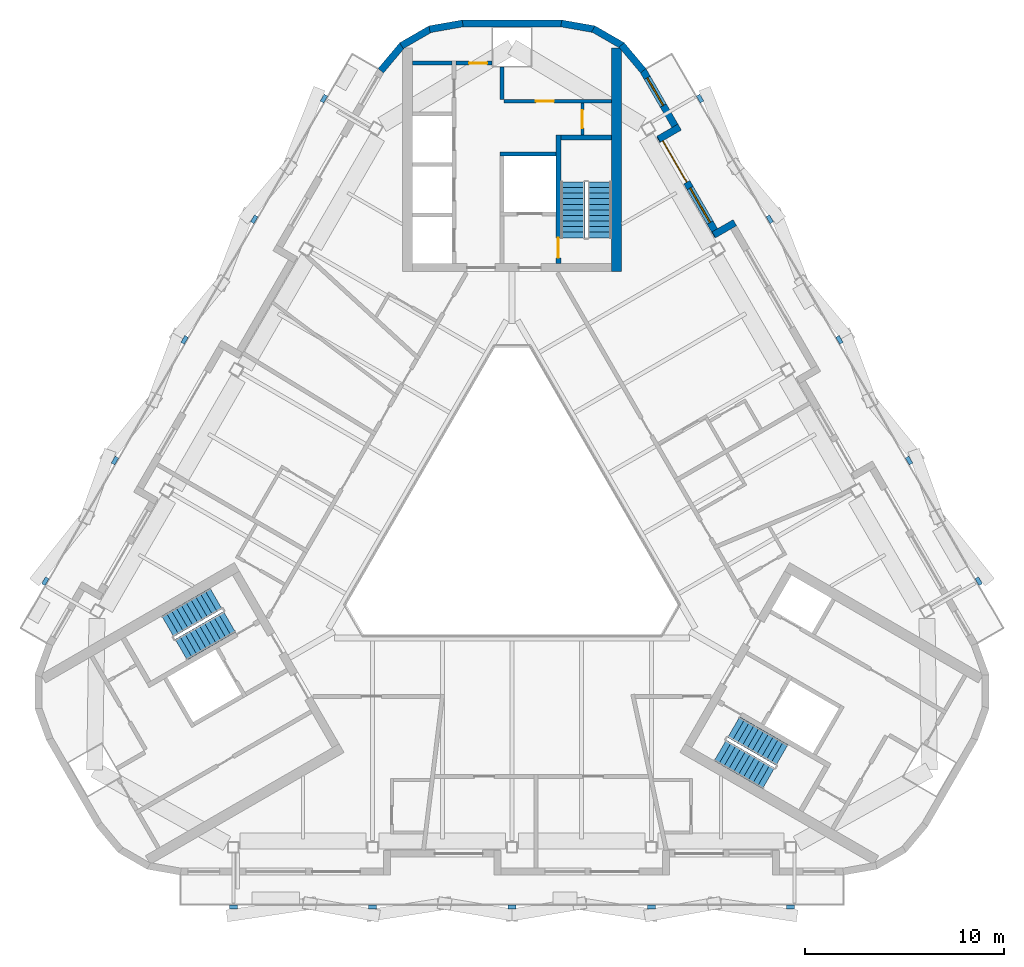
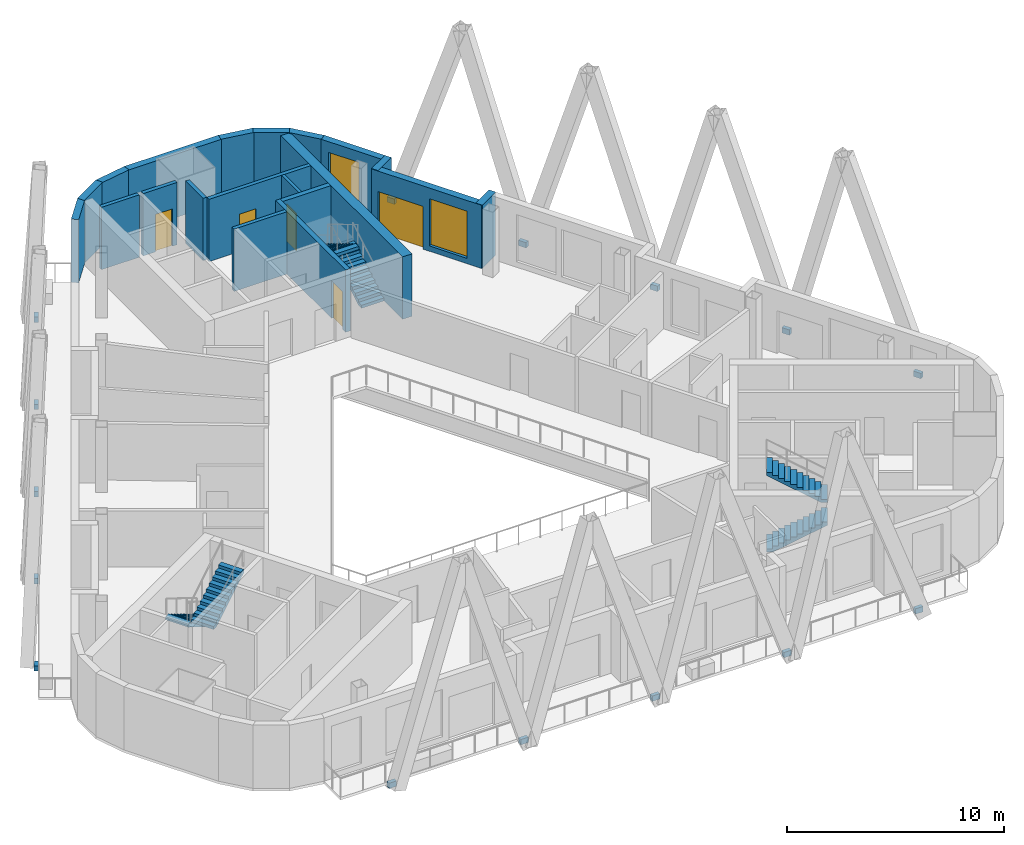
# One storey, part 7 of 12: 20 walls, 15 discrete accessories, 6 stair flights, 5 doors, 2 windows, 7 openings, 3 elements without a shape of their own.
"""IFC4 building model written with IfcOpenShell, lengths in metres."""

from ifc_helpers import new_model, si_unit, direction, frame, frame_2d, origin, origin_2d, place, context, subcontext, project, spatial, polyline, rectangle, outline, extrude, material, layer, layer_set, type_object, element, fill, aggregate, save


model = new_model("IFC4")

# Units and contexts
model_context = context("Model", 3, precision=1e-05, world=origin(), true_north=direction((0.0, 1.0)))
body_context = subcontext(model_context, "Body", "Model", "MODEL_VIEW")
ifc_project = project(units=[si_unit("LENGTHUNIT", "METRE"), si_unit("AREAUNIT", "SQUARE_METRE"), si_unit("VOLUMEUNIT", "CUBIC_METRE"), si_unit("PLANEANGLEUNIT", "RADIAN"), si_unit("MASSUNIT", "GRAM", prefix="KILO")], contexts=[model_context])

# Site, building, storey
site_placement = place(None, origin())
site = spatial("IfcSite", under=ifc_project, at=site_placement, CompositionType="ELEMENT")
building_placement = place(site_placement, origin())
building = spatial("IfcBuilding", under=site, at=building_placement, Name="Apuvela Tower Hotel", CompositionType="ELEMENT")
storey_placement = place(building_placement, frame((0.0, 0.0, 291.10009765625)))
storey = spatial("IfcBuildingStorey", under=building, at=storey_placement, Name="L72", CompositionType="ELEMENT", Elevation=291.10009765625)

# Wall
ifc_material_1 = material(Name="Concrete C50/60", Category="concrete")
ifc_layer_1 = layer(ifc_material_1, 0.5)
ifc_layer_set_1 = layer_set([ifc_layer_1], Name="COR-WALL-CORE-500")
wall_type_1 = type_object("IfcWallType", Name="COR-WALL-CORE-500", PredefinedType="SHEAR", material=ifc_layer_set_1)
wall_1_placement = place(storey_placement, frame((5.25, 12.89990234375, 0.0), z_axis=(0.0, 0.0, 1.0), x_axis=(0.0, 1.0, 0.0)))
element("IfcWall", 1, at=wall_1_placement, inside=storey, type_object=wall_type_1, Name="Core wall N", PredefinedType="SHEAR", context=body_context, shape_type="SweptSolid", body=[
    extrude(rectangle(XDim=11.2216796875, YDim=0.5, at=frame_2d((5.61083984375, 0.0))), origin(), (0.0, 0.0, 1.0), 3.5),
])

# Wall, opening, door
ifc_material_2 = material(Name="Blockwork 150 mm plastered", Category="masonry")
ifc_layer_2 = layer(ifc_material_2, 0.14990234375)
ifc_layer_set_2 = layer_set([ifc_layer_2], Name="COR-WALL-PART-150")
wall_type_2 = type_object("IfcWallType", Name="COR-WALL-PART-150", PredefinedType="PARTITIONING", material=ifc_layer_set_2)
wall_2_placement = place(storey_placement, frame((3.52490234375, 19.75, 0.0), z_axis=(0.0, 0.0, 1.0), x_axis=(0.0, 1.0, 0.0)))
wall_2 = element("IfcWall", 2, at=wall_2_placement, inside=storey, type_object=wall_type_2, Name="Partition N", PredefinedType="PARTITIONING", context=body_context, shape_type="SweptSolid", body=[
    extrude(rectangle(XDim=1.60009765625, YDim=0.14990234375, at=frame_2d((0.800048828125, 0.0))), origin(), (0.0, 0.0, 1.0), 3.5),
])
opening_1_placement = place(wall_2_placement, frame((0.35009765625, 0.0, 0.0)))
opening_1 = element("IfcOpeningElement", 3, at=opening_1_placement, cuts=wall_2, Name="Opening N-RD", PredefinedType="OPENING", context=body_context, shape_type="SweptSolid", body=[
    extrude(rectangle(XDim=0.89990234375, YDim=2.10009765625, at=frame_2d((0.449951171875, 1.050048828125))), frame((0.0, 0.0849609375, 0.0), z_axis=(0.0, -1.0, 0.0), x_axis=(1.0, 0.0, 0.0)), (0.0, 0.0, 1.0), 0.169921875),
])
ifc_material_3 = material(Name="Steel access door, powder coated", Category="steel")
door_type_1 = type_object("IfcDoorType", Name="COR-RD-900", OperationType="NOTDEFINED", PredefinedType="DOOR", material=ifc_material_3)
door_1_placement = place(opening_1_placement, frame((0.89990234375, 0.0, 0.0), z_axis=(0.0, 0.0, 1.0), x_axis=(-1.0, 0.0, 0.0)))
door_1 = element("IfcDoor", 4, at=door_1_placement, inside=storey, type_object=door_type_1, Name="Riser door N-RD", OperationType="SINGLE_SWING_RIGHT", OverallHeight=2.10009765625, OverallWidth=0.89990234375, PredefinedType="DOOR", context=body_context, shape_type="SweptSolid", body=[
    extrude(rectangle(XDim=0.89990234375, YDim=2.10009765625, at=frame_2d((0.449951171875, 1.050048828125))), frame((0.0, 0.02490234375, 0.0), z_axis=(0.0, -1.0, 0.0), x_axis=(1.0, 0.0, 0.0)), (0.0, 0.0, 1.0), 0.050048828125),
])
fill(opening_1, door_1)

ifc_material_4 = material(Name="Blockwork 200 mm plastered", Category="masonry")
ifc_layer_3 = layer(ifc_material_4, 0.199951171875)
ifc_layer_set_3 = layer_set([ifc_layer_3], Name="COR-WALL-PART-200")
wall_type_3 = type_object("IfcWallType", Name="COR-WALL-PART-200", PredefinedType="PARTITIONING", material=ifc_layer_set_3)
wall_3_placement = place(storey_placement, frame((5.0, 21.449951171875, 0.0), z_axis=(0.0, 0.0, 1.0), x_axis=(-1.0, 0.0, 0.0)))
wall_3 = element("IfcWall", 5, at=wall_3_placement, inside=storey, type_object=wall_type_3, Name="Partition N", PredefinedType="PARTITIONING", context=body_context, shape_type="SweptSolid", body=[
    extrude(rectangle(XDim=5.39990234375, YDim=0.199951171875, at=frame_2d((2.699951171875, 0.0))), origin(), (0.0, 0.0, 1.0), 3.5),
])
opening_2_placement = place(wall_3_placement, frame((2.89990234375, 0.0, 0.0)))
opening_2 = element("IfcOpeningElement", 6, at=opening_2_placement, cuts=wall_3, Name="Opening N-RS1", PredefinedType="OPENING", context=body_context, shape_type="SweptSolid", body=[
    extrude(rectangle(XDim=0.89990234375, YDim=2.10009765625, at=frame_2d((0.449951171875, 1.050048828125))), frame((0.0, 0.10986328125, 0.0), z_axis=(0.0, -1.0, 0.0), x_axis=(1.0, 0.0, 0.0)), (0.0, 0.0, 1.0), 0.219970703125),
])
ifc_material_5 = material(Name="Steel fire door, powder coated", Category="steel")
door_type_2 = type_object("IfcDoorType", Name="COR-DR-900", OperationType="NOTDEFINED", PredefinedType="DOOR", material=ifc_material_5)
door_2_placement = place(opening_2_placement, frame((0.89990234375, 0.0, 0.0), z_axis=(0.0, 0.0, 1.0), x_axis=(-1.0, 0.0, 0.0)))
door_2 = element("IfcDoor", 7, at=door_2_placement, inside=storey, type_object=door_type_2, Name="Store door N-RS1", OperationType="SINGLE_SWING_LEFT", OverallHeight=2.10009765625, OverallWidth=0.89990234375, PredefinedType="DOOR", context=body_context, shape_type="SweptSolid", body=[
    extrude(rectangle(XDim=0.89990234375, YDim=2.10009765625, at=frame_2d((0.449951171875, 1.050048828125))), frame((0.0, 0.02490234375, 0.0), z_axis=(0.0, -1.0, 0.0), x_axis=(1.0, 0.0, 0.0)), (0.0, 0.0, 1.0), 0.050048828125),
])
fill(opening_2, door_2)

# Wall
ifc_layer_4 = layer(ifc_material_1, 0.199951171875)
ifc_layer_set_4 = layer_set([ifc_layer_4], Name="COR-WALL-SHAFT-200")
wall_type_4 = type_object("IfcWallType", Name="COR-WALL-SHAFT-200", PredefinedType="SHEAR", material=ifc_layer_set_4)
wall_4_placement = place(storey_placement, frame((2.199951171875, 18.800048828125, 0.0), z_axis=(0.0, 0.0, 1.0), x_axis=(-1.0, 0.0, 0.0)))
element("IfcWall", 8, at=wall_4_placement, inside=storey, type_object=wall_type_4, Name="Shaft wall N", PredefinedType="SHEAR", context=body_context, shape_type="SweptSolid", body=[
    extrude(rectangle(XDim=2.800048828125, YDim=0.199951171875, at=frame_2d((1.39990234375, 0.0))), origin(), (0.0, 0.0, 1.0), 3.5),
])

# Wall, opening, door
wall_5_placement = place(storey_placement, frame((-1.0, 23.360107421875, 0.0), z_axis=(0.0, 0.0, 1.0), x_axis=(-1.0, 0.0, 0.0)))
wall_5 = element("IfcWall", 9, at=wall_5_placement, inside=storey, type_object=wall_type_4, Name="Shaft wall N", PredefinedType="SHEAR", context=body_context, shape_type="SweptSolid", body=[
    extrude(rectangle(XDim=1.800048828125, YDim=0.199951171875, at=frame_2d((0.89990234375, 0.0))), origin(), (0.0, 0.0, 1.0), 3.5),
])
opening_3_placement = place(wall_5_placement, frame((0.25, 0.0, 0.0)))
opening_3 = element("IfcOpeningElement", 10, at=opening_3_placement, cuts=wall_5, Name="Opening N-REP", PredefinedType="OPENING", context=body_context, shape_type="SweptSolid", body=[
    extrude(rectangle(XDim=0.89990234375, YDim=2.10009765625, at=frame_2d((0.449951171875, 1.050048828125))), frame((0.0, 0.10986328125, 0.0), z_axis=(0.0, -1.0, 0.0), x_axis=(1.0, 0.0, 0.0)), (0.0, 0.0, 1.0), 0.219970703125),
])
door_3_placement = place(opening_3_placement, frame((0.89990234375, 0.0, 0.0), z_axis=(0.0, 0.0, 1.0), x_axis=(-1.0, 0.0, 0.0)))
door_3 = element("IfcDoor", 11, at=door_3_placement, inside=storey, type_object=door_type_2, Name="Store door N-REP", OperationType="SINGLE_SWING_LEFT", OverallHeight=2.10009765625, OverallWidth=0.89990234375, PredefinedType="DOOR", context=body_context, shape_type="SweptSolid", body=[
    extrude(rectangle(XDim=0.89990234375, YDim=2.10009765625, at=frame_2d((0.449951171875, 1.050048828125))), frame((0.0, 0.02490234375, 0.0), z_axis=(0.0, -1.0, 0.0), x_axis=(1.0, 0.0, 0.0)), (0.0, 0.0, 1.0), 0.050048828125),
])
fill(opening_3, door_3)

# Walls
wall_6_placement = place(storey_placement, frame((-0.5, 21.550048828125, 0.0), z_axis=(0.0, 0.0, 1.0), x_axis=(0.0, 1.0, 0.0)))
element("IfcWall", 12, at=wall_6_placement, inside=storey, type_object=wall_type_4, Name="Shaft wall N", PredefinedType="SHEAR", context=body_context, shape_type="SweptSolid", body=[
    extrude(rectangle(XDim=1.625, YDim=0.199951171875, at=frame_2d((0.8125, 0.0))), origin(), (0.0, 0.0, 1.0), 3.5),
])
wall_7_placement = place(storey_placement, frame((-3.0, 23.360107421875, 0.0), z_axis=(0.0, 0.0, 1.0), x_axis=(-1.0, 0.0, 0.0)))
element("IfcWall", 13, at=wall_7_placement, inside=storey, type_object=wall_type_4, Name="Shaft wall N", PredefinedType="SHEAR", context=body_context, shape_type="SweptSolid", body=[
    extrude(rectangle(XDim=2.0, YDim=0.199951171875, at=frame_2d((1.0, 0.0))), origin(), (0.0, 0.0, 1.0), 3.5),
])

# Wall, opening, door
ifc_layer_5 = layer(ifc_material_1, 0.25)
ifc_layer_set_5 = layer_set([ifc_layer_5], Name="COR-WALL-STAIR-250")
wall_type_5 = type_object("IfcWallType", Name="COR-WALL-STAIR-250", PredefinedType="SHEAR", material=ifc_layer_set_5)
wall_8_placement = place(storey_placement, frame((2.324951171875, 13.300048828125, 0.0), z_axis=(0.0, 0.0, 1.0), x_axis=(0.0, 1.0, 0.0)))
wall_8 = element("IfcWall", 14, at=wall_8_placement, inside=storey, type_object=wall_type_5, Name="Stair wall N", PredefinedType="SHEAR", context=body_context, shape_type="SweptSolid", body=[
    extrude(rectangle(XDim=6.449951171875, YDim=0.25, at=frame_2d((3.22509765625, 0.0))), origin(), (0.0, 0.0, 1.0), 3.5),
])
opening_4_placement = place(wall_8_placement, frame((0.300048828125, 0.0, 0.0)))
opening_4 = element("IfcOpeningElement", 15, at=opening_4_placement, cuts=wall_8, Name="Opening N-SD", PredefinedType="OPENING", context=body_context, shape_type="SweptSolid", body=[
    extrude(rectangle(XDim=1.0, YDim=2.10009765625, at=frame_2d((0.5, 1.050048828125))), frame((0.0, 0.135009765625, 0.0), z_axis=(0.0, -1.0, 0.0), x_axis=(1.0, 0.0, 0.0)), (0.0, 0.0, 1.0), 0.27001953125),
])
door_type_3 = type_object("IfcDoorType", Name="COR-SD-1000", OperationType="NOTDEFINED", PredefinedType="DOOR", material=ifc_material_5)
door_4_placement = place(opening_4_placement, frame((1.0, 0.0, 0.0), z_axis=(0.0, 0.0, 1.0), x_axis=(-1.0, 0.0, 0.0)))
door_4 = element("IfcDoor", 16, at=door_4_placement, inside=storey, type_object=door_type_3, Name="Stair door N-SD", OperationType="SINGLE_SWING_LEFT", OverallHeight=2.10009765625, OverallWidth=1.0, PredefinedType="DOOR", context=body_context, shape_type="SweptSolid", body=[
    extrude(rectangle(XDim=1.0, YDim=2.10009765625, at=frame_2d((0.5, 1.050048828125))), frame((0.0, 0.02490234375, 0.0), z_axis=(0.0, -1.0, 0.0), x_axis=(1.0, 0.0, 0.0)), (0.0, 0.0, 1.0), 0.050048828125),
])
fill(opening_4, door_4)

# Walls
wall_9_placement = place(storey_placement, frame((5.0, 19.625, 0.0), z_axis=(0.0, 0.0, 1.0), x_axis=(-1.0, 0.0, 0.0)))
element("IfcWall", 17, at=wall_9_placement, inside=storey, type_object=wall_type_5, Name="Stair wall N", PredefinedType="SHEAR", context=body_context, shape_type="SweptSolid", body=[
    extrude(rectangle(XDim=2.550048828125, YDim=0.25, at=frame_2d((1.27490234375, 0.0))), origin(), (0.0, 0.0, 1.0), 3.5),
])
ifc_material_6 = material(Name="Concrete C40/50, dark pigmented precast panel", Category="concrete")
ifc_layer_6 = layer(ifc_material_6, 0.35009765625)
ifc_layer_set_6 = layer_set([ifc_layer_6], Name="ENV-WALL-350")
wall_type_6 = type_object("IfcWallType", Name="ENV-WALL-350", PredefinedType="SOLIDWALL", material=ifc_layer_set_6)
wall_10_placement = place(storey_placement, frame((11.1796875, 15.35986328125, 0.0), z_axis=(0.0, 0.0, 1.0), x_axis=(-0.866055662726, -0.499947586314, 0.0)))
element("IfcWall", 18, at=wall_10_placement, inside=storey, type_object=wall_type_6, Name="External wall L72-38", PredefinedType="SOLIDWALL", context=body_context, shape_type="SweptSolid", body=[
    extrude(rectangle(XDim=1.220458984375, YDim=0.35009765625, at=frame_2d((0.6103515625, 0.0))), origin(), (0.0, 0.0, 1.0), 3.5498046875),
])

# Wall, openings, door, window
wall_11_placement = place(storey_placement, frame((10.321044921875, 14.69677734375, 0.0), z_axis=(0.0, 0.0, 1.0), x_axis=(-0.500005339912, 0.866022320763, 0.0)))
wall_11 = element("IfcWall", 19, at=wall_11_placement, inside=storey, type_object=wall_type_6, Name="External wall L72-39", PredefinedType="SOLIDWALL", context=body_context, shape_type="SweptSolid", body=[
    extrude(rectangle(XDim=5.8271484375, YDim=0.35009765625, at=frame_2d((2.91357421875, 0.0))), origin(), (0.0, 0.0, 1.0), 3.5498046875),
])
opening_5_placement = place(wall_11_placement, frame((3.10693359375, 0.0, 0.0)))
opening_5 = element("IfcOpeningElement", 20, at=opening_5_placement, cuts=wall_11, Name="Opening BD24", PredefinedType="OPENING", context=body_context, shape_type="SweptSolid", body=[
    extrude(rectangle(XDim=2.39990234375, YDim=2.39990234375, at=frame_2d((1.199951171875, 1.199951171875))), frame((0.0, 0.18505859375, 0.0), z_axis=(0.0, -1.0, 0.0), x_axis=(1.0, 0.0, 0.0)), (0.0, 0.0, 1.0), 0.3701171875),
])
opening_6_placement = place(wall_11_placement, frame((0.77001953125, 0.0, 0.300048828125)))
opening_6 = element("IfcOpeningElement", 21, at=opening_6_placement, cuts=wall_11, Name="Opening WN20", PredefinedType="OPENING", context=body_context, shape_type="SweptSolid", body=[
    extrude(rectangle(XDim=2.0, YDim=2.64990234375, at=frame_2d((1.0, 1.324951171875))), frame((0.0, 0.18505859375, 0.0), z_axis=(0.0, -1.0, 0.0), x_axis=(1.0, 0.0, 0.0)), (0.0, 0.0, 1.0), 0.3701171875),
])
ifc_material_7 = material(Name="Aluminium 6063-T6, dark bronze anodised frame with dark tinted laminated glass", Category="aluminium")
door_type_4 = type_object("IfcDoorType", Name="ENV-DOOR-BALCONY-2400x2400", OperationType="SLIDING_TO_LEFT", PredefinedType="DOOR", material=ifc_material_7)
door_5_placement = place(opening_5_placement, frame((2.39990234375, 0.0, 0.0), z_axis=(0.0, 0.0, 1.0), x_axis=(-1.0, 0.0, 0.0)))
door_5 = element("IfcDoor", 22, at=door_5_placement, inside=storey, type_object=door_type_4, Name="Balcony door BD24", OperationType="SLIDING_TO_LEFT", OverallHeight=2.39990234375, OverallWidth=2.39990234375, PredefinedType="DOOR", context=body_context, shape_type="SweptSolid", body=[
    extrude(rectangle(XDim=2.39990234375, YDim=2.39990234375, at=frame_2d((1.199951171875, 1.199951171875))), frame((0.0, 0.02490234375, 0.0), z_axis=(0.0, -1.0, 0.0), x_axis=(1.0, 0.0, 0.0)), (0.0, 0.0, 1.0), 0.050048828125),
])
fill(opening_5, door_5)
ifc_material_8 = material(Name="Glass, dark tinted laminated insulated glazing unit", Category="glass")
window_type_1 = type_object("IfcWindowType", Name="ENV-WIN-2000x2650", PartitioningType="SINGLE_PANEL", PredefinedType="WINDOW", material=ifc_material_8)
window_1_placement = place(opening_6_placement, origin())
window_1 = element("IfcWindow", 23, at=window_1_placement, inside=storey, type_object=window_type_1, Name="Window WN20", OverallHeight=2.64990234375, OverallWidth=2.0, PartitioningType="SINGLE_PANEL", PredefinedType="WINDOW", context=body_context, shape_type="SweptSolid", body=[
    extrude(rectangle(XDim=2.0, YDim=2.64990234375, at=frame_2d((1.0, 1.324951171875))), frame((0.0, 0.030029296875, 0.0), z_axis=(0.0, -1.0, 0.0), x_axis=(1.0, 0.0, 0.0)), (0.0, 0.0, 1.0), 0.06005859375),
])
fill(opening_6, window_1)

# Wall
wall_12_placement = place(storey_placement, frame((7.3544921875, 19.544921875, 0.0), z_axis=(0.0, 0.0, 1.0), x_axis=(0.865955602162, 0.500120880472, 0.0)))
element("IfcWall", 24, at=wall_12_placement, inside=storey, type_object=wall_type_6, Name="External wall L72-40", PredefinedType="SOLIDWALL", context=body_context, shape_type="SweptSolid", body=[
    extrude(rectangle(XDim=1.219970703125, YDim=0.35009765625, at=frame_2d((0.60986328125, 0.0))), origin(), (0.0, 0.0, 1.0), 3.5498046875),
])

# Wall, opening, window
wall_13_placement = place(storey_placement, frame((8.346923828125, 19.916015625, 0.0), z_axis=(0.0, 0.0, 1.0), x_axis=(-0.500010763282, 0.866019189511, 0.0)))
wall_13 = element("IfcWall", 25, at=wall_13_placement, inside=storey, type_object=wall_type_6, Name="External wall L72-41", PredefinedType="SOLIDWALL", context=body_context, shape_type="SweptSolid", body=[
    extrude(rectangle(XDim=3.5673828125, YDim=0.35009765625, at=frame_2d((1.78369140625, 0.0))), origin(), (0.0, 0.0, 1.0), 3.5498046875),
])
opening_7_placement = place(wall_13_placement, frame((1.52490234375, 0.0, 0.300048828125)))
opening_7 = element("IfcOpeningElement", 26, at=opening_7_placement, cuts=wall_13, Name="Opening WN16", PredefinedType="OPENING", context=body_context, shape_type="SweptSolid", body=[
    extrude(rectangle(XDim=1.60009765625, YDim=2.64990234375, at=frame_2d((0.800048828125, 1.324951171875))), frame((0.0, 0.18505859375, 0.0), z_axis=(0.0, -1.0, 0.0), x_axis=(1.0, 0.0, 0.0)), (0.0, 0.0, 1.0), 0.3701171875),
])
window_type_2 = type_object("IfcWindowType", Name="ENV-WIN-1600x2650", PartitioningType="SINGLE_PANEL", PredefinedType="WINDOW", material=ifc_material_8)
window_2_placement = place(opening_7_placement, origin())
window_2 = element("IfcWindow", 27, at=window_2_placement, inside=storey, type_object=window_type_2, Name="Window WN16", OverallHeight=2.64990234375, OverallWidth=1.60009765625, PartitioningType="SINGLE_PANEL", PredefinedType="WINDOW", context=body_context, shape_type="SweptSolid", body=[
    extrude(rectangle(XDim=1.60009765625, YDim=2.64990234375, at=frame_2d((0.800048828125, 1.324951171875))), frame((0.0, 0.030029296875, 0.0), z_axis=(0.0, -1.0, 0.0), x_axis=(1.0, 0.0, 0.0)), (0.0, 0.0, 1.0), 0.06005859375),
])
fill(opening_7, window_2)

# Walls
for number, where, z_axis, x_axis, name in (
    (28, (6.580810546875, 22.980224609375, 0.0), (0.0, 0.0, 1.0), (-0.64278191564, 0.766049220955, 0.0), "External wall L72-42"),
    (29, (5.54150390625, 24.235595703125, 0.0), (0.0, 0.0, 1.0), (-0.86609173884, 0.499885086709, 0.0), "External wall L72-43"),
    (30, (4.135498046875, 25.059326171875, 0.0), (0.0, 0.0, 1.0), (-0.984799556842, 0.173694654046, 0.0), "External wall L72-44"),
):
    element("IfcWall", number, at=place(storey_placement, frame(where, z_axis=z_axis, x_axis=x_axis)), inside=storey, type_object=wall_type_6, Name=name, PredefinedType="SOLIDWALL", context=body_context, shape_type="SweptSolid", body=[
        extrude(rectangle(XDim=1.689453125, YDim=0.35009765625, at=frame_2d((0.8447265625, 0.0))), origin(), (0.0, 0.0, 1.0), 3.5498046875),
    ])
wall_14_placement = place(storey_placement, frame((2.502197265625, 25.35009765625, 0.0), z_axis=(0.0, 0.0, 1.0), x_axis=(-1.0, 0.0, 0.0)))
element("IfcWall", 31, at=wall_14_placement, inside=storey, type_object=wall_type_6, Name="External wall L72-45", PredefinedType="SOLIDWALL", context=body_context, shape_type="SweptSolid", body=[
    extrude(rectangle(XDim=5.00439453125, YDim=0.35009765625, at=frame_2d((2.502197265625, 0.0))), origin(), (0.0, 0.0, 1.0), 3.5498046875),
])
for number, where, z_axis, x_axis, name in (
    (32, (-2.4716796875, 25.352783203125, 0.0), (0.0, 0.0, 1.0), (-0.984799556842, -0.173694654046, 0.0), "External wall L72-46"),
    (33, (-4.078369140625, 25.080078125, 0.0), (0.0, 0.0, 1.0), (-0.86609173884, -0.499885086709, 0.0), "External wall L72-47"),
    (34, (-5.494873046875, 24.2744140625, 0.0), (0.0, 0.0, 1.0), (-0.64278191564, -0.766049220955, 0.0), "External wall L72-48"),
):
    element("IfcWall", number, at=place(storey_placement, frame(where, z_axis=z_axis, x_axis=x_axis)), inside=storey, type_object=wall_type_6, Name=name, PredefinedType="SOLIDWALL", context=body_context, shape_type="SweptSolid", body=[
        extrude(rectangle(XDim=1.689453125, YDim=0.35009765625, at=frame_2d((0.8447265625, 0.0))), origin(), (0.0, 0.0, 1.0), 3.5498046875),
    ])

# Stair, stair flights
stair_type = type_object("IfcStairType", Name="COR-STAIR-22R", PredefinedType="HALF_TURN_STAIR", material=ifc_material_1)
stair_1_placement = place(storey_placement, origin())
stair_1 = element("IfcStair", 35, at=stair_1_placement, inside=storey, type_object=stair_type, Name="L72 Exit stair ST1", PredefinedType="HALF_TURN_STAIR")
stair_flight_type = type_object("IfcStairFlightType", Name="COR-FLIGHT-11R", PredefinedType="STRAIGHT", material=ifc_material_1)
stair_flight_1_placement = place(storey_placement, frame((4.39990234375, 14.60009765625, 0.0), z_axis=(0.0, 0.0, 1.0), x_axis=(0.0, 1.0, 0.0)))
stair_flight_1 = element("IfcStairFlight", 36, at=stair_flight_1_placement, type_object=stair_flight_type, Name="ST1 flight 1", NumberOfRisers=11, NumberOfTreads=10, PredefinedType="STRAIGHT", RiserHeight=0.168181818, TreadLength=0.28, context=body_context, shape_type="SweptSolid", body=[
    extrude(outline(polyline([(0.0, 0.0), (0.0, 0.168212890625), (0.280029296875, 0.168212890625), (0.280029296875, 0.33642578125), (0.56005859375, 0.33642578125), (0.56005859375, 0.504638671875), (0.840087890625, 0.504638671875), (0.840087890625, 0.672607421875), (1.1201171875, 0.672607421875), (1.1201171875, 0.8408203125), (1.39990234375, 0.8408203125), (1.39990234375, 1.009033203125), (1.679931640625, 1.009033203125), (1.679931640625, 1.17724609375), (1.9599609375, 1.17724609375), (1.9599609375, 1.345458984375), (2.239990234375, 1.345458984375), (2.239990234375, 1.513671875), (2.52001953125, 1.513671875), (2.52001953125, 1.681884765625), (2.800048828125, 1.681884765625), (2.800048828125, 1.85009765625), (2.800048828125, 1.5068359375), (0.291015625, 0.0), (0.0, 0.0)])), frame((0.0, 0.60009765625, 0.0), z_axis=(0.0, -1.0, 0.0), x_axis=(1.0, 0.0, 0.0)), (0.0, 0.0, 1.0), 1.199951171875),
])
stair_flight_2_placement = place(storey_placement, frame((3.050048828125, 17.39990234375, 1.849853515625), z_axis=(0.0, 0.0, 1.0), x_axis=(0.0, -1.0, 0.0)))
stair_flight_2 = element("IfcStairFlight", 37, at=stair_flight_2_placement, type_object=stair_flight_type, Name="ST1 flight 2", NumberOfRisers=11, NumberOfTreads=10, PredefinedType="STRAIGHT", RiserHeight=0.168181818, TreadLength=0.28, context=body_context, shape_type="SweptSolid", body=[
    extrude(outline(polyline([(0.0, 0.0), (0.0, 0.168212890625), (0.280029296875, 0.168212890625), (0.280029296875, 0.33642578125), (0.56005859375, 0.33642578125), (0.56005859375, 0.504638671875), (0.840087890625, 0.504638671875), (0.840087890625, 0.672607421875), (1.1201171875, 0.672607421875), (1.1201171875, 0.8408203125), (1.39990234375, 0.8408203125), (1.39990234375, 1.009033203125), (1.679931640625, 1.009033203125), (1.679931640625, 1.17724609375), (1.9599609375, 1.17724609375), (1.9599609375, 1.345458984375), (2.239990234375, 1.345458984375), (2.239990234375, 1.513671875), (2.52001953125, 1.513671875), (2.52001953125, 1.681884765625), (2.800048828125, 1.681884765625), (2.800048828125, 1.85009765625), (2.800048828125, 1.5068359375), (0.291015625, 0.0), (0.0, 0.0)])), frame((0.0, 0.60009765625, 0.0), z_axis=(0.0, -1.0, 0.0), x_axis=(1.0, 0.0, 0.0)), (0.0, 0.0, 1.0), 1.199951171875),
])
aggregate(stair_1, [stair_flight_1, stair_flight_2])

stair_2_placement = place(storey_placement, origin())
stair_2 = element("IfcStair", 38, at=stair_2_placement, inside=storey, type_object=stair_type, Name="L72 Exit stair ST2", PredefinedType="HALF_TURN_STAIR")
stair_flight_3_placement = place(storey_placement, frame((-14.843994140625, -3.489501953125, 0.0), z_axis=(0.0, 0.0, 1.0), x_axis=(-0.866025403784, -0.5, 0.0)))
stair_flight_3 = element("IfcStairFlight", 39, at=stair_flight_3_placement, type_object=stair_flight_type, Name="ST2 flight 1", NumberOfRisers=11, NumberOfTreads=10, PredefinedType="STRAIGHT", RiserHeight=0.168181818, TreadLength=0.28, context=body_context, shape_type="SweptSolid", body=[
    extrude(outline(polyline([(0.0, 0.0), (0.0, 0.168212890625), (0.280029296875, 0.168212890625), (0.280029296875, 0.33642578125), (0.56005859375, 0.33642578125), (0.56005859375, 0.504638671875), (0.840087890625, 0.504638671875), (0.840087890625, 0.672607421875), (1.1201171875, 0.672607421875), (1.1201171875, 0.8408203125), (1.39990234375, 0.8408203125), (1.39990234375, 1.009033203125), (1.679931640625, 1.009033203125), (1.679931640625, 1.17724609375), (1.9599609375, 1.17724609375), (1.9599609375, 1.345458984375), (2.239990234375, 1.345458984375), (2.239990234375, 1.513671875), (2.52001953125, 1.513671875), (2.52001953125, 1.681884765625), (2.800048828125, 1.681884765625), (2.800048828125, 1.85009765625), (2.800048828125, 1.5068359375), (0.291015625, 0.0), (0.0, 0.0)])), frame((0.0, 0.60009765625, 0.0), z_axis=(0.0, -1.0, 0.0), x_axis=(1.0, 0.0, 0.0)), (0.0, 0.0, 1.0), 1.199951171875),
])
stair_flight_4_placement = place(storey_placement, frame((-16.59375, -6.05859375, 1.849853515625), z_axis=(0.0, 0.0, 1.0), x_axis=(0.866025403784, 0.5, 0.0)))
stair_flight_4 = element("IfcStairFlight", 40, at=stair_flight_4_placement, type_object=stair_flight_type, Name="ST2 flight 2", NumberOfRisers=11, NumberOfTreads=10, PredefinedType="STRAIGHT", RiserHeight=0.168181818, TreadLength=0.28, context=body_context, shape_type="SweptSolid", body=[
    extrude(outline(polyline([(0.0, 0.0), (0.0, 0.168212890625), (0.280029296875, 0.168212890625), (0.280029296875, 0.33642578125), (0.56005859375, 0.33642578125), (0.56005859375, 0.504638671875), (0.840087890625, 0.504638671875), (0.840087890625, 0.672607421875), (1.1201171875, 0.672607421875), (1.1201171875, 0.8408203125), (1.39990234375, 0.8408203125), (1.39990234375, 1.009033203125), (1.679931640625, 1.009033203125), (1.679931640625, 1.17724609375), (1.9599609375, 1.17724609375), (1.9599609375, 1.345458984375), (2.239990234375, 1.345458984375), (2.239990234375, 1.513671875), (2.52001953125, 1.513671875), (2.52001953125, 1.681884765625), (2.800048828125, 1.681884765625), (2.800048828125, 1.85009765625), (2.800048828125, 1.5068359375), (0.291015625, 0.0), (0.0, 0.0)])), frame((0.0, 0.60009765625, 0.0), z_axis=(0.0, -1.0, 0.0), x_axis=(1.0, 0.0, 0.0)), (0.0, 0.0, 1.0), 1.199951171875),
])
aggregate(stair_2, [stair_flight_3, stair_flight_4])

stair_3_placement = place(storey_placement, origin())
stair_3 = element("IfcStair", 41, at=stair_3_placement, inside=storey, type_object=stair_type, Name="L72 Exit stair ST3", PredefinedType="HALF_TURN_STAIR")
stair_flight_5_placement = place(storey_placement, frame((10.444091796875, -11.110595703125, 0.0), z_axis=(0.0, 0.0, 1.0), x_axis=(0.866025403784, -0.5, 0.0)))
stair_flight_5 = element("IfcStairFlight", 42, at=stair_flight_5_placement, type_object=stair_flight_type, Name="ST3 flight 1", NumberOfRisers=11, NumberOfTreads=10, PredefinedType="STRAIGHT", RiserHeight=0.168181818, TreadLength=0.28, context=body_context, shape_type="SweptSolid", body=[
    extrude(outline(polyline([(0.0, 0.0), (0.0, 0.168212890625), (0.280029296875, 0.168212890625), (0.280029296875, 0.33642578125), (0.56005859375, 0.33642578125), (0.56005859375, 0.504638671875), (0.840087890625, 0.504638671875), (0.840087890625, 0.672607421875), (1.1201171875, 0.672607421875), (1.1201171875, 0.8408203125), (1.39990234375, 0.8408203125), (1.39990234375, 1.009033203125), (1.679931640625, 1.009033203125), (1.679931640625, 1.17724609375), (1.9599609375, 1.17724609375), (1.9599609375, 1.345458984375), (2.239990234375, 1.345458984375), (2.239990234375, 1.513671875), (2.52001953125, 1.513671875), (2.52001953125, 1.681884765625), (2.800048828125, 1.681884765625), (2.800048828125, 1.85009765625), (2.800048828125, 1.5068359375), (0.291015625, 0.0), (0.0, 0.0)])), frame((0.0, 0.60009765625, 0.0), z_axis=(0.0, -1.0, 0.0), x_axis=(1.0, 0.0, 0.0)), (0.0, 0.0, 1.0), 1.199951171875),
])
stair_flight_6_placement = place(storey_placement, frame((13.5439453125, -11.34130859375, 1.849853515625), z_axis=(0.0, 0.0, 1.0), x_axis=(-0.866025403784, 0.5, 0.0)))
stair_flight_6 = element("IfcStairFlight", 43, at=stair_flight_6_placement, type_object=stair_flight_type, Name="ST3 flight 2", NumberOfRisers=11, NumberOfTreads=10, PredefinedType="STRAIGHT", RiserHeight=0.168181818, TreadLength=0.28, context=body_context, shape_type="SweptSolid", body=[
    extrude(outline(polyline([(0.0, 0.0), (0.0, 0.168212890625), (0.280029296875, 0.168212890625), (0.280029296875, 0.33642578125), (0.56005859375, 0.33642578125), (0.56005859375, 0.504638671875), (0.840087890625, 0.504638671875), (0.840087890625, 0.672607421875), (1.1201171875, 0.672607421875), (1.1201171875, 0.8408203125), (1.39990234375, 0.8408203125), (1.39990234375, 1.009033203125), (1.679931640625, 1.009033203125), (1.679931640625, 1.17724609375), (1.9599609375, 1.17724609375), (1.9599609375, 1.345458984375), (2.239990234375, 1.345458984375), (2.239990234375, 1.513671875), (2.52001953125, 1.513671875), (2.52001953125, 1.681884765625), (2.800048828125, 1.681884765625), (2.800048828125, 1.85009765625), (2.800048828125, 1.5068359375), (0.291015625, 0.0), (0.0, 0.0)])), frame((0.0, 0.60009765625, 0.0), z_axis=(0.0, -1.0, 0.0), x_axis=(1.0, 0.0, 0.0)), (0.0, 0.0, 1.0), 1.199951171875),
])
aggregate(stair_3, [stair_flight_5, stair_flight_6])

# Discrete accessories
ifc_material_9 = material(Name="Steel S355, black paint system", Category="steel")
discrete_accessory_type = type_object("IfcDiscreteAccessoryType", Name="ENV-FIN-BRACKET", PredefinedType="BRACKET", material=ifc_material_9)
for number, where, z_axis, x_axis, name in (
    (44, (23.408447265625, -2.62109375, -0.25), (0.0, 0.0, 1.0), (-0.5, 0.866025403784, 0.0), "Fin bracket NE128"),
    (45, (19.914794921875, 3.4296875, -0.25), (0.0, 0.0, 1.0), (-0.5, 0.866025403784, 0.0), "Fin bracket NE129"),
    (46, (16.42138671875, 9.480712890625, -0.25), (0.0, 0.0, 1.0), (-0.5, 0.866025403784, 0.0), "Fin bracket NE130"),
    (47, (12.927734375, 15.53173828125, -0.25), (0.0, 0.0, 1.0), (-0.5, 0.866025403784, 0.0), "Fin bracket NE131"),
    (48, (9.43408203125, 21.5830078125, -0.25), (0.0, 0.0, 1.0), (-0.5, 0.866025403784, 0.0), "Fin bracket NE132"),
    (49, (-9.43408203125, 21.5830078125, -0.25), (0.0, 0.0, 1.0), (-0.5, -0.866025403784, 0.0), "Fin bracket NW277"),
    (50, (-12.927734375, 15.53173828125, -0.25), (0.0, 0.0, 1.0), (-0.5, -0.866025403784, 0.0), "Fin bracket NW278"),
    (51, (-16.42138671875, 9.480712890625, -0.25), (0.0, 0.0, 1.0), (-0.5, -0.866025403784, 0.0), "Fin bracket NW279"),
    (52, (-19.914794921875, 3.4296875, -0.25), (0.0, 0.0, 1.0), (-0.5, -0.866025403784, 0.0), "Fin bracket NW280"),
    (53, (-23.408447265625, -2.62109375, -0.25), (0.0, 0.0, 1.0), (-0.5, -0.866025403784, 0.0), "Fin bracket NW281"),
    (54, (-13.97412109375, -18.961669921875, -0.25), (0.0, 0.0, 1.0), (1.0, 0.0, 0.0), "Fin bracket S427"),
    (55, (-6.987060546875, -18.961669921875, -0.25), (0.0, 0.0, 1.0), (1.0, 0.0, 0.0), "Fin bracket S428"),
    (56, (0.0, -18.961669921875, -0.25), (0.0, 0.0, 1.0), (1.0, 0.0, 0.0), "Fin bracket S429"),
    (57, (6.987060546875, -18.961669921875, -0.25), (0.0, 0.0, 1.0), (1.0, 0.0, 0.0), "Fin bracket S430"),
    (58, (13.97412109375, -18.961669921875, -0.25), (0.0, 0.0, 1.0), (1.0, 0.0, 0.0), "Fin bracket S431"),
):
    element("IfcDiscreteAccessory", number, at=place(storey_placement, frame(where, z_axis=z_axis, x_axis=x_axis)), inside=storey, type_object=discrete_accessory_type, Name=name, PredefinedType="BRACKET", context=body_context, shape_type="SweptSolid", body=[
        extrude(rectangle(XDim=0.39990234375, YDim=0.199951171875, at=origin_2d()), origin(), (0.0, 0.0, 1.0), 0.300048828125),
    ])

save(model, "model.ifc")
